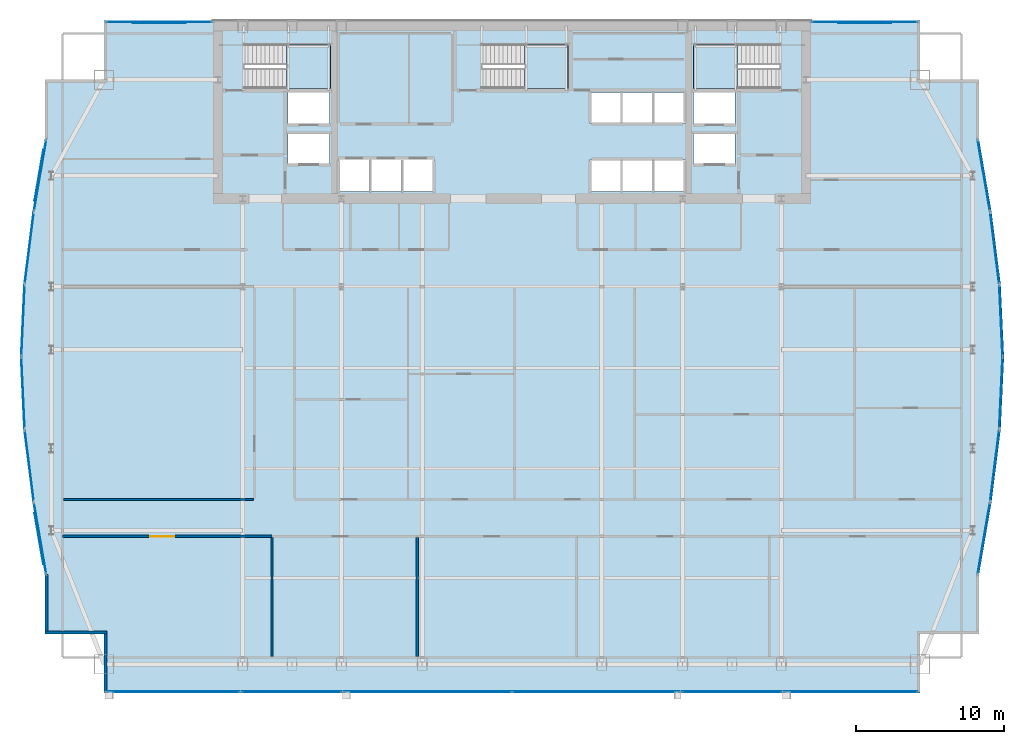
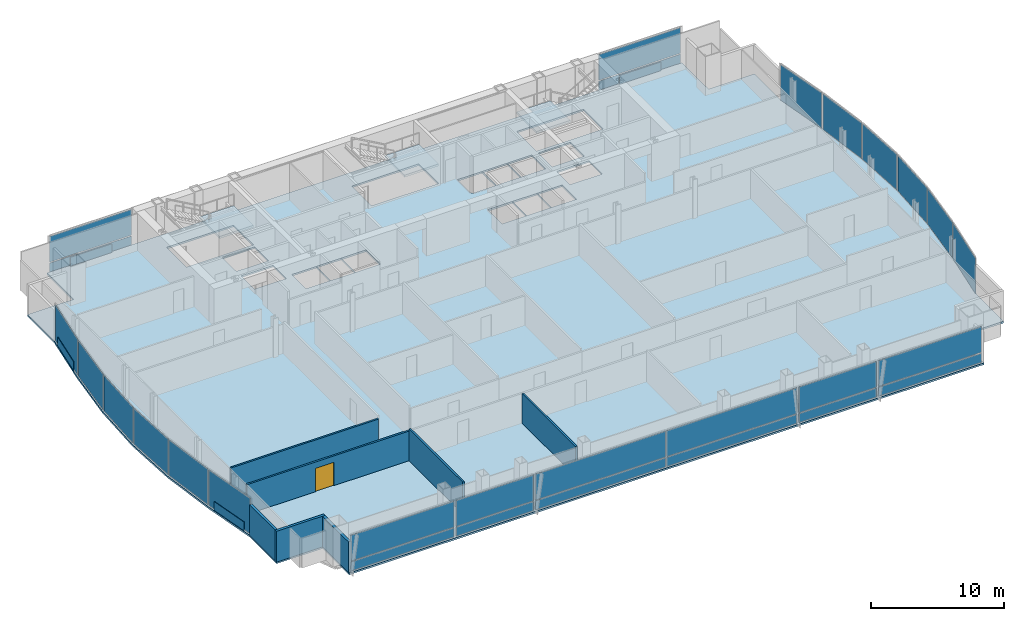
# One storey, part 23 of 29: 32 plates, 7 walls, 4 slabs, 1 door, 1 opening, 22 elements without a shape of their own.
"""IFC4 building model written with IfcOpenShell, lengths in metres."""

from ifc_helpers import new_model, si_unit, direction, frame, frame_2d, origin, origin_2d, place, context, subcontext, project, spatial, polyline, rectangle, outline, extrude, material, layer, layer_set, type_object, element, fill, aggregate, save


model = new_model("IFC4")

# Units and contexts
model_context = context("Model", 3, precision=1e-05, world=origin(), true_north=direction((0.0, 1.0)))
body_context = subcontext(model_context, "Body", "Model", "MODEL_VIEW")
ifc_project = project(units=[si_unit("LENGTHUNIT", "METRE"), si_unit("AREAUNIT", "SQUARE_METRE"), si_unit("VOLUMEUNIT", "CUBIC_METRE"), si_unit("PLANEANGLEUNIT", "RADIAN"), si_unit("MASSUNIT", "GRAM", prefix="KILO")], contexts=[model_context])

# Site, building, storey
site_placement = place(None, origin())
site = spatial("IfcSite", under=ifc_project, at=site_placement, CompositionType="ELEMENT")
building_placement = place(site_placement, origin())
building = spatial("IfcBuilding", under=site, at=building_placement, Name="Khoronbel Lancet Exchange", CompositionType="ELEMENT")
storey_placement = place(building_placement, frame((0.0, 0.0, 150.60009765625)))
storey = spatial("IfcBuildingStorey", under=building, at=storey_placement, Name="L37", CompositionType="ELEMENT", Elevation=150.60009765625)

# Curtain wall, plate
ifc_material_1 = material(Name="Low-E Solar Control Insulating Glass", Category="glass")
curtain_wall_type_1 = type_object("IfcCurtainWallType", Name="CW-4", PredefinedType="NOTDEFINED", material=ifc_material_1)
curtain_wall_1_placement = place(storey_placement, origin())
curtain_wall_1 = element("IfcCurtainWall", 1, at=curtain_wall_1_placement, inside=storey, type_object=curtain_wall_type_1, Name="Unitised curtain wall CW-L37-E04", PredefinedType="NOTDEFINED")
ifc_material_2 = material(Name="Bronze-Anodised Aluminium 6063-T6", Category="aluminium")
ifc_layer_1 = layer(ifc_material_2, 0.050048828125, Name="Bronze-Anodised Aluminium 6063-T6")
ifc_layer_set_1 = layer_set([ifc_layer_1], Name="Bronze-Anodised Aluminium 6063-T6")
plate_type_1 = type_object("IfcPlateType", Name="PLT-CSP1", PredefinedType="SHEET", material=ifc_layer_set_1)
plate_1_placement = place(storey_placement, frame((4.456298828125, 18.65869140625, 0.0498046875), z_axis=(0.0, 0.0, 1.0), x_axis=(-0.170028930194, 0.985439071124, 0.0)))
plate_1 = element("IfcPlate", 2, at=plate_1_placement, type_object=plate_type_1, Name="Insulated bronze spandrel cassette CW-L37-E04", PredefinedType="SHEET", context=body_context, shape_type="SweptSolid", body=[
    extrude(rectangle(XDim=3.49658203125, YDim=0.050048828125, at=origin_2d()), origin(), (0.0, 0.0, 1.0), 0.800048828125),
])

curtain_wall_2_placement = place(storey_placement, origin())
curtain_wall_2 = element("IfcCurtainWall", 3, at=curtain_wall_2_placement, inside=storey, type_object=curtain_wall_type_1, Name="Unitised curtain wall CW-L37-E05", PredefinedType="NOTDEFINED")
plate_2_placement = place(storey_placement, frame((3.780517578125, 23.58544921875, 0.0849609375), z_axis=(0.0, 0.0, 1.0), x_axis=(-0.125312637554, 0.992117302978, 0.0)))
plate_2 = element("IfcPlate", 4, at=plate_2_placement, type_object=plate_type_1, Name="CW4 panel 1.1", PredefinedType="CURTAIN_PANEL", context=body_context, shape_type="SweptSolid", body=[
    extrude(rectangle(XDim=4.800048828125, YDim=0.0380859375, at=origin_2d()), origin(), (0.0, 0.0, 1.0), 3.27001953125),
])
aggregate(curtain_wall_2, [plate_2])

curtain_wall_3_placement = place(storey_placement, origin())
curtain_wall_3 = element("IfcCurtainWall", 5, at=curtain_wall_3_placement, inside=storey, type_object=curtain_wall_type_1, Name="Unitised curtain wall CW-L37-E06", PredefinedType="NOTDEFINED")
plate_3_placement = place(storey_placement, frame((3.35693359375, 28.49560546875, 0.0849609375), z_axis=(0.0, 0.0, 1.0), x_axis=(-0.046171931737, 0.998933507657, 0.0)))
plate_3 = element("IfcPlate", 6, at=plate_3_placement, type_object=plate_type_1, Name="CW4 panel 1.1", PredefinedType="CURTAIN_PANEL", context=body_context, shape_type="SweptSolid", body=[
    extrude(rectangle(XDim=4.76416015625, YDim=0.0380859375, at=origin_2d()), origin(), (0.0, 0.0, 1.0), 3.27001953125),
])
aggregate(curtain_wall_3, [plate_3])

curtain_wall_4_placement = place(storey_placement, origin())
curtain_wall_4 = element("IfcCurtainWall", 7, at=curtain_wall_4_placement, inside=storey, type_object=curtain_wall_type_1, Name="Unitised curtain wall CW-L37-E07", PredefinedType="NOTDEFINED")
plate_4_placement = place(storey_placement, frame((3.35693359375, 33.404541015625, 0.0849609375), z_axis=(0.0, 0.0, 1.0), x_axis=(0.046171931737, 0.998933507657, 0.0)))
plate_4 = element("IfcPlate", 8, at=plate_4_placement, type_object=plate_type_1, Name="CW4 panel 1.1", PredefinedType="CURTAIN_PANEL", context=body_context, shape_type="SweptSolid", body=[
    extrude(rectangle(XDim=4.76416015625, YDim=0.0380859375, at=origin_2d()), origin(), (0.0, 0.0, 1.0), 3.27001953125),
])
aggregate(curtain_wall_4, [plate_4])

curtain_wall_5_placement = place(storey_placement, origin())
curtain_wall_5 = element("IfcCurtainWall", 9, at=curtain_wall_5_placement, inside=storey, type_object=curtain_wall_type_1, Name="Unitised curtain wall CW-L37-E08", PredefinedType="NOTDEFINED")
plate_5_placement = place(storey_placement, frame((3.780517578125, 38.314453125, 0.0849609375), z_axis=(0.0, 0.0, 1.0), x_axis=(0.125312637554, 0.992117302978, 0.0)))
plate_5 = element("IfcPlate", 10, at=plate_5_placement, type_object=plate_type_1, Name="CW4 panel 1.1", PredefinedType="CURTAIN_PANEL", context=body_context, shape_type="SweptSolid", body=[
    extrude(rectangle(XDim=4.800048828125, YDim=0.0380859375, at=origin_2d()), origin(), (0.0, 0.0, 1.0), 3.27001953125),
])
aggregate(curtain_wall_5, [plate_5])

curtain_wall_6_placement = place(storey_placement, origin())
curtain_wall_6 = element("IfcCurtainWall", 11, at=curtain_wall_6_placement, inside=storey, type_object=curtain_wall_type_1, Name="Unitised curtain wall CW-L37-E09", PredefinedType="NOTDEFINED")
plate_6_placement = place(storey_placement, frame((4.456298828125, 43.2412109375, 0.0498046875), z_axis=(0.0, 0.0, 1.0), x_axis=(0.170028930194, 0.985439071124, 0.0)))
plate_6 = element("IfcPlate", 12, at=plate_6_placement, type_object=plate_type_1, Name="Insulated bronze spandrel cassette CW-L37-E09", PredefinedType="SHEET", context=body_context, shape_type="SweptSolid", body=[
    extrude(rectangle(XDim=3.49658203125, YDim=0.050048828125, at=origin_2d()), origin(), (0.0, 0.0, 1.0), 0.800048828125),
])

curtain_wall_type_2 = type_object("IfcCurtainWallType", Name="CW-3", PredefinedType="NOTDEFINED", material=ifc_material_1)
curtain_wall_7_placement = place(storey_placement, origin())
curtain_wall_7 = element("IfcCurtainWall", 13, at=curtain_wall_7_placement, inside=storey, type_object=curtain_wall_type_2, Name="Unitised curtain wall CW-L37-NWFLK", PredefinedType="NOTDEFINED")
plate_7_placement = place(storey_placement, frame((12.580078125, 53.550048828125, 0.0498046875), z_axis=(0.0, 0.0, 1.0), x_axis=(-1.0, 0.0, 0.0)))
plate_7 = element("IfcPlate", 14, at=plate_7_placement, type_object=plate_type_1, Name="Insulated bronze spandrel cassette CW-L37-NWFLK", PredefinedType="SHEET", context=body_context, shape_type="SweptSolid", body=[
    extrude(rectangle(XDim=3.60009765625, YDim=0.050048828125, at=origin_2d()), origin(), (0.0, 0.0, 1.0), 0.800048828125),
])

curtain_wall_8_placement = place(storey_placement, origin())
curtain_wall_8 = element("IfcCurtainWall", 15, at=curtain_wall_8_placement, inside=storey, type_object=curtain_wall_type_2, Name="Unitised curtain wall CW-L37-NEFLK", PredefinedType="NOTDEFINED")
plate_8_placement = place(storey_placement, frame((60.320068359375, 53.550048828125, 0.0498046875), z_axis=(0.0, 0.0, 1.0), x_axis=(-1.0, 0.0, 0.0)))
plate_8 = element("IfcPlate", 16, at=plate_8_placement, type_object=plate_type_1, Name="Insulated bronze spandrel cassette CW-L37-NEFLK", PredefinedType="SHEET", context=body_context, shape_type="SweptSolid", body=[
    extrude(rectangle(XDim=3.60009765625, YDim=0.050048828125, at=origin_2d()), origin(), (0.0, 0.0, 1.0), 0.800048828125),
])

curtain_wall_9_placement = place(storey_placement, origin())
curtain_wall_9 = element("IfcCurtainWall", 17, at=curtain_wall_9_placement, inside=storey, type_object=curtain_wall_type_1, Name="Unitised curtain wall CW-L37-E18", PredefinedType="NOTDEFINED")
plate_9_placement = place(storey_placement, frame((69.119384765625, 38.314453125, 0.0849609375), z_axis=(0.0, 0.0, 1.0), x_axis=(0.125312637554, -0.992117302978, 0.0)))
plate_9 = element("IfcPlate", 18, at=plate_9_placement, type_object=plate_type_1, Name="CW4 panel 1.1", PredefinedType="CURTAIN_PANEL", context=body_context, shape_type="SweptSolid", body=[
    extrude(rectangle(XDim=4.800048828125, YDim=0.0380859375, at=origin_2d()), origin(), (0.0, 0.0, 1.0), 3.27001953125),
])
aggregate(curtain_wall_9, [plate_9])

curtain_wall_10_placement = place(storey_placement, origin())
curtain_wall_10 = element("IfcCurtainWall", 19, at=curtain_wall_10_placement, inside=storey, type_object=curtain_wall_type_1, Name="Unitised curtain wall CW-L37-E19", PredefinedType="NOTDEFINED")
plate_10_placement = place(storey_placement, frame((69.54296875, 33.404541015625, 0.0849609375), z_axis=(0.0, 0.0, 1.0), x_axis=(0.046171931737, -0.998933507657, 0.0)))
plate_10 = element("IfcPlate", 20, at=plate_10_placement, type_object=plate_type_1, Name="CW4 panel 1.1", PredefinedType="CURTAIN_PANEL", context=body_context, shape_type="SweptSolid", body=[
    extrude(rectangle(XDim=4.76416015625, YDim=0.0380859375, at=origin_2d()), origin(), (0.0, 0.0, 1.0), 3.27001953125),
])
aggregate(curtain_wall_10, [plate_10])

curtain_wall_11_placement = place(storey_placement, origin())
curtain_wall_11 = element("IfcCurtainWall", 21, at=curtain_wall_11_placement, inside=storey, type_object=curtain_wall_type_1, Name="Unitised curtain wall CW-L37-E20", PredefinedType="NOTDEFINED")
plate_11_placement = place(storey_placement, frame((69.54296875, 28.49560546875, 0.0849609375), z_axis=(0.0, 0.0, 1.0), x_axis=(-0.046171931737, -0.998933507657, 0.0)))
plate_11 = element("IfcPlate", 22, at=plate_11_placement, type_object=plate_type_1, Name="CW4 panel 1.1", PredefinedType="CURTAIN_PANEL", context=body_context, shape_type="SweptSolid", body=[
    extrude(rectangle(XDim=4.76416015625, YDim=0.0380859375, at=origin_2d()), origin(), (0.0, 0.0, 1.0), 3.27001953125),
])
aggregate(curtain_wall_11, [plate_11])

curtain_wall_12_placement = place(storey_placement, origin())
curtain_wall_12 = element("IfcCurtainWall", 23, at=curtain_wall_12_placement, inside=storey, type_object=curtain_wall_type_1, Name="Unitised curtain wall CW-L37-E21", PredefinedType="NOTDEFINED")
plate_12_placement = place(storey_placement, frame((69.119384765625, 23.58544921875, 0.0849609375), z_axis=(0.0, 0.0, 1.0), x_axis=(-0.125312637554, -0.992117302978, 0.0)))
plate_12 = element("IfcPlate", 24, at=plate_12_placement, type_object=plate_type_1, Name="CW4 panel 1.1", PredefinedType="CURTAIN_PANEL", context=body_context, shape_type="SweptSolid", body=[
    extrude(rectangle(XDim=4.800048828125, YDim=0.0380859375, at=origin_2d()), origin(), (0.0, 0.0, 1.0), 3.27001953125),
])
aggregate(curtain_wall_12, [plate_12])

# Curtain wall, plates
curtain_wall_13_placement = place(storey_placement, origin())
curtain_wall_13 = element("IfcCurtainWall", 25, at=curtain_wall_13_placement, inside=storey, type_object=curtain_wall_type_2, Name="Unitised curtain wall CW-L37-SWB", PredefinedType="NOTDEFINED")
plate_13_placement = place(storey_placement, frame((21.550048828125, 8.2900390625, 0.0849609375), z_axis=(0.0, 0.0, 1.0), x_axis=(1.0, 0.0, 0.0)))
plate_13 = element("IfcPlate", 26, at=plate_13_placement, type_object=plate_type_1, Name="CW3 panel 1.1", PredefinedType="CURTAIN_PANEL", context=body_context, shape_type="SweptSolid", body=[
    extrude(rectangle(XDim=6.72998046875, YDim=0.0380859375, at=origin_2d()), origin(), (0.0, 0.0, 1.0), 0.822509765625),
])
plate_14_placement = place(storey_placement, frame((21.550048828125, 8.2900390625, 0.9921875), z_axis=(0.0, 0.0, 1.0), x_axis=(1.0, 0.0, 0.0)))
plate_14 = element("IfcPlate", 27, at=plate_14_placement, type_object=plate_type_1, Name="CW3 panel 1.2", PredefinedType="CURTAIN_PANEL", context=body_context, shape_type="SweptSolid", body=[
    extrude(rectangle(XDim=6.72998046875, YDim=0.0380859375, at=origin_2d()), origin(), (0.0, 0.0, 1.0), 2.362548828125),
])
aggregate(curtain_wall_13, [plate_13, plate_14])

curtain_wall_14_placement = place(storey_placement, origin())
curtain_wall_14 = element("IfcCurtainWall", 28, at=curtain_wall_14_placement, inside=storey, type_object=curtain_wall_type_2, Name="Unitised curtain wall CW-L37-SEB", PredefinedType="NOTDEFINED")
plate_15_placement = place(storey_placement, frame((51.35009765625, 8.2900390625, 0.0849609375), z_axis=(0.0, 0.0, 1.0), x_axis=(1.0, 0.0, 0.0)))
plate_15 = element("IfcPlate", 29, at=plate_15_placement, type_object=plate_type_1, Name="CW3 panel 1.1", PredefinedType="CURTAIN_PANEL", context=body_context, shape_type="SweptSolid", body=[
    extrude(rectangle(XDim=6.72998046875, YDim=0.0380859375, at=origin_2d()), origin(), (0.0, 0.0, 1.0), 0.822509765625),
])
plate_16_placement = place(storey_placement, frame((51.35009765625, 8.2900390625, 0.9921875), z_axis=(0.0, 0.0, 1.0), x_axis=(1.0, 0.0, 0.0)))
plate_16 = element("IfcPlate", 30, at=plate_16_placement, type_object=plate_type_1, Name="CW3 panel 1.2", PredefinedType="CURTAIN_PANEL", context=body_context, shape_type="SweptSolid", body=[
    extrude(rectangle(XDim=6.72998046875, YDim=0.0380859375, at=origin_2d()), origin(), (0.0, 0.0, 1.0), 2.362548828125),
])
aggregate(curtain_wall_14, [plate_15, plate_16])

# Plate
ifc_layer_2 = layer(ifc_material_1, 0.035888671875, Name="Low-E Solar Control Insulating Glass")
ifc_layer_set_2 = layer_set([ifc_layer_2], Name="Low-E Solar Control Insulating Glass")
plate_type_2 = type_object("IfcPlateType", Name="PLT-CWP1", PredefinedType="CURTAIN_PANEL", material=ifc_layer_set_2)
plate_17_placement = place(storey_placement, frame((12.580078125, 53.610107421875, 0.0849609375), z_axis=(0.0, 0.0, 1.0), x_axis=(-1.0, 0.0, 0.0)))
plate_17 = element("IfcPlate", 31, at=plate_17_placement, type_object=plate_type_2, Name="CW3 panel 1.1", PredefinedType="CURTAIN_PANEL", context=body_context, shape_type="SweptSolid", body=[
    extrude(rectangle(XDim=7.110107421875, YDim=0.0380859375, at=origin_2d()), origin(), (0.0, 0.0, 1.0), 0.822509765625),
])

plate_18_placement = place(storey_placement, frame((12.580078125, 53.610107421875, 0.9921875), z_axis=(0.0, 0.0, 1.0), x_axis=(-1.0, 0.0, 0.0)))
plate_18 = element("IfcPlate", 32, at=plate_18_placement, type_object=plate_type_2, Name="CW3 panel 1.2", PredefinedType="CURTAIN_PANEL", context=body_context, shape_type="SweptSolid", body=[
    extrude(rectangle(XDim=7.110107421875, YDim=0.0380859375, at=origin_2d()), origin(), (0.0, 0.0, 1.0), 2.362548828125),
])

aggregate(curtain_wall_7, [plate_17, plate_18, plate_7])

plate_19_placement = place(storey_placement, frame((60.320068359375, 53.610107421875, 0.0849609375), z_axis=(0.0, 0.0, 1.0), x_axis=(-1.0, 0.0, 0.0)))
plate_19 = element("IfcPlate", 33, at=plate_19_placement, type_object=plate_type_2, Name="CW3 panel 1.1", PredefinedType="CURTAIN_PANEL", context=body_context, shape_type="SweptSolid", body=[
    extrude(rectangle(XDim=7.110107421875, YDim=0.0380859375, at=origin_2d()), origin(), (0.0, 0.0, 1.0), 0.822509765625),
])

plate_20_placement = place(storey_placement, frame((60.320068359375, 53.610107421875, 0.9921875), z_axis=(0.0, 0.0, 1.0), x_axis=(-1.0, 0.0, 0.0)))
plate_20 = element("IfcPlate", 34, at=plate_20_placement, type_object=plate_type_2, Name="CW3 panel 1.2", PredefinedType="CURTAIN_PANEL", context=body_context, shape_type="SweptSolid", body=[
    extrude(rectangle(XDim=7.110107421875, YDim=0.0380859375, at=origin_2d()), origin(), (0.0, 0.0, 1.0), 2.362548828125),
])

aggregate(curtain_wall_8, [plate_19, plate_20, plate_8])

# Curtain wall, plates
curtain_wall_15_placement = place(storey_placement, origin())
curtain_wall_15 = element("IfcCurtainWall", 35, at=curtain_wall_15_placement, inside=storey, type_object=curtain_wall_type_2, Name="Unitised curtain wall CW-L37-SWV", PredefinedType="NOTDEFINED")
plate_21_placement = place(storey_placement, frame((13.52001953125, 8.2900390625, 0.0849609375), z_axis=(0.0, 0.0, 1.0), x_axis=(1.0, 0.0, 0.0)))
plate_21 = element("IfcPlate", 36, at=plate_21_placement, type_object=plate_type_2, Name="CW3 panel 1.1", PredefinedType="CURTAIN_PANEL", context=body_context, shape_type="SweptSolid", body=[
    extrude(rectangle(XDim=8.989990234375, YDim=0.0380859375, at=origin_2d()), origin(), (0.0, 0.0, 1.0), 0.822509765625),
])
plate_22_placement = place(storey_placement, frame((13.52001953125, 8.2900390625, 0.9921875), z_axis=(0.0, 0.0, 1.0), x_axis=(1.0, 0.0, 0.0)))
plate_22 = element("IfcPlate", 37, at=plate_22_placement, type_object=plate_type_2, Name="CW3 panel 1.2", PredefinedType="CURTAIN_PANEL", context=body_context, shape_type="SweptSolid", body=[
    extrude(rectangle(XDim=8.989990234375, YDim=0.0380859375, at=origin_2d()), origin(), (0.0, 0.0, 1.0), 2.362548828125),
])
aggregate(curtain_wall_15, [plate_21, plate_22])

curtain_wall_16_placement = place(storey_placement, origin())
curtain_wall_16 = element("IfcCurtainWall", 38, at=curtain_wall_16_placement, inside=storey, type_object=curtain_wall_type_2, Name="Unitised curtain wall CW-L37-SCV", PredefinedType="NOTDEFINED")
plate_23_placement = place(storey_placement, frame((30.746337890625, 8.2900390625, 0.0849609375), z_axis=(0.0, 0.0, 1.0), x_axis=(1.0, 0.0, 0.0)))
plate_23 = element("IfcPlate", 39, at=plate_23_placement, type_object=plate_type_2, Name="CW3 panel 1.1", PredefinedType="CURTAIN_PANEL", context=body_context, shape_type="SweptSolid", body=[
    extrude(rectangle(XDim=11.322509765625, YDim=0.0380859375, at=origin_2d()), origin(), (0.0, 0.0, 1.0), 0.822509765625),
])
plate_24_placement = place(storey_placement, frame((30.746337890625, 8.2900390625, 0.9921875), z_axis=(0.0, 0.0, 1.0), x_axis=(1.0, 0.0, 0.0)))
plate_24 = element("IfcPlate", 40, at=plate_24_placement, type_object=plate_type_2, Name="CW3 panel 1.2", PredefinedType="CURTAIN_PANEL", context=body_context, shape_type="SweptSolid", body=[
    extrude(rectangle(XDim=11.322509765625, YDim=0.0380859375, at=origin_2d()), origin(), (0.0, 0.0, 1.0), 2.362548828125),
])
plate_25_placement = place(storey_placement, frame((42.15380859375, 8.2900390625, 0.0849609375), z_axis=(0.0, 0.0, 1.0), x_axis=(1.0, 0.0, 0.0)))
plate_25 = element("IfcPlate", 41, at=plate_25_placement, type_object=plate_type_2, Name="CW3 panel 2.1", PredefinedType="CURTAIN_PANEL", context=body_context, shape_type="SweptSolid", body=[
    extrude(rectangle(XDim=11.322509765625, YDim=0.0380859375, at=origin_2d()), origin(), (0.0, 0.0, 1.0), 0.822509765625),
])
plate_26_placement = place(storey_placement, frame((42.15380859375, 8.2900390625, 0.9921875), z_axis=(0.0, 0.0, 1.0), x_axis=(1.0, 0.0, 0.0)))
plate_26 = element("IfcPlate", 42, at=plate_26_placement, type_object=plate_type_2, Name="CW3 panel 2.2", PredefinedType="CURTAIN_PANEL", context=body_context, shape_type="SweptSolid", body=[
    extrude(rectangle(XDim=11.322509765625, YDim=0.0380859375, at=origin_2d()), origin(), (0.0, 0.0, 1.0), 2.362548828125),
])
aggregate(curtain_wall_16, [plate_23, plate_24, plate_25, plate_26])

curtain_wall_17_placement = place(storey_placement, origin())
curtain_wall_17 = element("IfcCurtainWall", 43, at=curtain_wall_17_placement, inside=storey, type_object=curtain_wall_type_2, Name="Unitised curtain wall CW-L37-SEV", PredefinedType="NOTDEFINED")
plate_27_placement = place(storey_placement, frame((59.3798828125, 8.2900390625, 0.0849609375), z_axis=(0.0, 0.0, 1.0), x_axis=(1.0, 0.0, 0.0)))
plate_27 = element("IfcPlate", 44, at=plate_27_placement, type_object=plate_type_2, Name="CW3 panel 1.1", PredefinedType="CURTAIN_PANEL", context=body_context, shape_type="SweptSolid", body=[
    extrude(rectangle(XDim=8.989990234375, YDim=0.0380859375, at=origin_2d()), origin(), (0.0, 0.0, 1.0), 0.822509765625),
])
plate_28_placement = place(storey_placement, frame((59.3798828125, 8.2900390625, 0.9921875), z_axis=(0.0, 0.0, 1.0), x_axis=(1.0, 0.0, 0.0)))
plate_28 = element("IfcPlate", 45, at=plate_28_placement, type_object=plate_type_2, Name="CW3 panel 1.2", PredefinedType="CURTAIN_PANEL", context=body_context, shape_type="SweptSolid", body=[
    extrude(rectangle(XDim=8.989990234375, YDim=0.0380859375, at=origin_2d()), origin(), (0.0, 0.0, 1.0), 2.362548828125),
])
aggregate(curtain_wall_17, [plate_27, plate_28])

# Plate
ifc_material_3 = material(Name="Ceramic-Fritted Laminated Insulating Glass", Category="glass")
ifc_layer_3 = layer(ifc_material_3, 0.0419921875, Name="Ceramic-Fritted Laminated Insulating Glass")
ifc_layer_set_3 = layer_set([ifc_layer_3], Name="Ceramic-Fritted Laminated Insulating Glass")
plate_type_3 = type_object("IfcPlateType", Name="PLT-CWP2", PredefinedType="CURTAIN_PANEL", material=ifc_layer_set_3)
plate_29_placement = place(storey_placement, frame((4.515380859375, 18.6689453125, 0.0849609375), z_axis=(0.0, 0.0, 1.0), x_axis=(-0.170028930194, 0.985439071124, 0.0)))
plate_29 = element("IfcPlate", 46, at=plate_29_placement, type_object=plate_type_3, Name="CW4 panel 1.1", PredefinedType="CURTAIN_PANEL", context=body_context, shape_type="SweptSolid", body=[
    extrude(rectangle(XDim=4.844970703125, YDim=0.0380859375, at=origin_2d()), origin(), (0.0, 0.0, 1.0), 3.27001953125),
])

aggregate(curtain_wall_1, [plate_29, plate_1])

plate_30_placement = place(storey_placement, frame((4.515380859375, 43.231201171875, 0.0849609375), z_axis=(0.0, 0.0, 1.0), x_axis=(0.170028930194, 0.985439071124, 0.0)))
plate_30 = element("IfcPlate", 47, at=plate_30_placement, type_object=plate_type_3, Name="CW4 panel 1.1", PredefinedType="CURTAIN_PANEL", context=body_context, shape_type="SweptSolid", body=[
    extrude(rectangle(XDim=4.844970703125, YDim=0.0380859375, at=origin_2d()), origin(), (0.0, 0.0, 1.0), 3.27001953125),
])

aggregate(curtain_wall_6, [plate_30, plate_6])

# Curtain wall, plate
curtain_wall_18_placement = place(storey_placement, origin())
curtain_wall_18 = element("IfcCurtainWall", 48, at=curtain_wall_18_placement, inside=storey, type_object=curtain_wall_type_1, Name="Unitised curtain wall CW-L37-E17", PredefinedType="NOTDEFINED")
plate_31_placement = place(storey_placement, frame((68.384765625, 43.231201171875, 0.0849609375), z_axis=(0.0, 0.0, 1.0), x_axis=(0.170028930194, -0.985439071124, 0.0)))
plate_31 = element("IfcPlate", 49, at=plate_31_placement, type_object=plate_type_3, Name="CW4 panel 1.1", PredefinedType="CURTAIN_PANEL", context=body_context, shape_type="SweptSolid", body=[
    extrude(rectangle(XDim=4.844970703125, YDim=0.0380859375, at=origin_2d()), origin(), (0.0, 0.0, 1.0), 3.27001953125),
])
aggregate(curtain_wall_18, [plate_31])

curtain_wall_19_placement = place(storey_placement, origin())
curtain_wall_19 = element("IfcCurtainWall", 50, at=curtain_wall_19_placement, inside=storey, type_object=curtain_wall_type_1, Name="Unitised curtain wall CW-L37-E22", PredefinedType="NOTDEFINED")
plate_32_placement = place(storey_placement, frame((68.384765625, 18.6689453125, 0.0849609375), z_axis=(0.0, 0.0, 1.0), x_axis=(-0.170028930194, -0.985439071124, 0.0)))
plate_32 = element("IfcPlate", 51, at=plate_32_placement, type_object=plate_type_3, Name="CW4 panel 1.1", PredefinedType="CURTAIN_PANEL", context=body_context, shape_type="SweptSolid", body=[
    extrude(rectangle(XDim=4.844970703125, YDim=0.0380859375, at=origin_2d()), origin(), (0.0, 0.0, 1.0), 3.27001953125),
])
aggregate(curtain_wall_19, [plate_32])

# Slab
ifc_material_4 = material(Name="Concrete C40/50", Category="concrete")
ifc_layer_4 = layer(ifc_material_4, 0.159912109375, Name="Concrete C40/50")
ifc_layer_set_4 = layer_set([ifc_layer_4], Name="Concrete C40/50")
slab_type_1 = type_object("IfcSlabType", Name="SL-FL160", PredefinedType="FLOOR", material=ifc_layer_set_4)
slab_1_placement = place(storey_placement, frame((0.0, 0.0, -0.16015625)))
element("IfcSlab", 52, at=slab_1_placement, inside=storey, type_object=slab_type_1, Name="Level L37 composite structural floor slab", PredefinedType="FLOOR", context=body_context, shape_type="SweptSolid", body=[
    extrude(outline(polyline([(8.85009765625, 8.199951171875), (64.050048828125, 8.199951171875), (64.050048828125, 12.199951171875), (68.050048828125, 12.199951171875), (68.050048828125, 16.199951171875), (68.898193359375, 21.11669921875), (69.519287109375, 26.033203125), (69.74658203125, 30.949951171875), (69.519287109375, 35.86669921875), (68.898193359375, 40.783203125), (68.050048828125, 45.699951171875), (68.050048828125, 49.699951171875), (64.050048828125, 49.699951171875), (64.050048828125, 53.699951171875), (8.85009765625, 53.699951171875), (8.85009765625, 49.699951171875), (4.85009765625, 49.699951171875), (4.85009765625, 45.699951171875), (4.001708984375, 40.783203125), (3.380615234375, 35.86669921875), (3.1533203125, 30.949951171875), (3.380615234375, 26.033203125), (4.001708984375, 21.11669921875), (4.85009765625, 16.199951171875), (4.85009765625, 12.199951171875), (8.85009765625, 12.199951171875), (8.85009765625, 8.199951171875)]), holes=[polyline([(18.324951171875, 49.1201171875), (24.14990234375, 49.1201171875), (24.14990234375, 52.10009765625), (18.324951171875, 52.10009765625), (18.324951171875, 49.1201171875)]), polyline([(48.75, 49.1201171875), (54.574951171875, 49.1201171875), (54.574951171875, 52.10009765625), (48.75, 52.10009765625), (48.75, 49.1201171875)]), polyline([(34.425048828125, 49.1201171875), (40.25, 49.1201171875), (40.25, 52.10009765625), (34.425048828125, 52.10009765625), (34.425048828125, 49.1201171875)]), polyline([(24.699951171875, 42.14990234375), (26.840087890625, 42.14990234375), (26.840087890625, 44.300048828125), (24.699951171875, 44.300048828125), (24.699951171875, 42.14990234375)]), polyline([(26.860107421875, 42.14990234375), (29.0, 42.14990234375), (29.0, 44.300048828125), (26.860107421875, 44.300048828125), (26.860107421875, 42.14990234375)]), polyline([(29.02001953125, 42.14990234375), (31.159912109375, 42.14990234375), (31.159912109375, 44.300048828125), (29.02001953125, 44.300048828125), (29.02001953125, 42.14990234375)]), polyline([(41.739990234375, 46.75), (43.8798828125, 46.75), (43.8798828125, 48.85009765625), (41.739990234375, 48.85009765625), (41.739990234375, 46.75)]), polyline([(43.89990234375, 46.75), (46.0400390625, 46.75), (46.0400390625, 48.85009765625), (43.89990234375, 48.85009765625), (43.89990234375, 46.75)]), polyline([(46.06005859375, 46.75), (48.199951171875, 46.75), (48.199951171875, 48.85009765625), (46.06005859375, 48.85009765625), (46.06005859375, 46.75)]), polyline([(41.739990234375, 42.14990234375), (43.8798828125, 42.14990234375), (43.8798828125, 44.300048828125), (41.739990234375, 44.300048828125), (41.739990234375, 42.14990234375)]), polyline([(43.89990234375, 42.14990234375), (46.0400390625, 42.14990234375), (46.0400390625, 44.300048828125), (43.89990234375, 44.300048828125), (43.89990234375, 42.14990234375)]), polyline([(46.06005859375, 42.14990234375), (48.199951171875, 42.14990234375), (48.199951171875, 44.300048828125), (46.06005859375, 44.300048828125), (46.06005859375, 42.14990234375)]), polyline([(21.300048828125, 46.75), (24.10009765625, 46.75), (24.10009765625, 48.85009765625), (21.300048828125, 48.85009765625), (21.300048828125, 46.75)]), polyline([(48.75, 46.75), (51.550048828125, 46.75), (51.550048828125, 48.85009765625), (48.75, 48.85009765625), (48.75, 46.75)]), polyline([(21.300048828125, 44.050048828125), (24.10009765625, 44.050048828125), (24.10009765625, 46.050048828125), (21.300048828125, 46.050048828125), (21.300048828125, 44.050048828125)]), polyline([(48.75, 44.050048828125), (51.550048828125, 44.050048828125), (51.550048828125, 46.050048828125), (48.75, 46.050048828125), (48.75, 44.050048828125)])]), origin(), (0.0, 0.0, 1.0), 0.16015625),
])

# Stair, slab
stair_type = type_object("IfcStairType", Name="STR-CORE150", PredefinedType="HALF_TURN_STAIR", material=ifc_material_4)
stair_1_placement = place(storey_placement, origin())
stair_1 = element("IfcStair", 53, at=stair_1_placement, inside=storey, type_object=stair_type, Name="L37 Protected Exit Stair ST1", PredefinedType="HALF_TURN_STAIR")
ifc_layer_5 = layer(ifc_material_4, 0.199951171875, Name="Concrete C40/50")
ifc_layer_set_5 = layer_set([ifc_layer_5], Name="Concrete C40/50")
slab_type_2 = type_object("IfcSlabType", Name="SL-LND180", PredefinedType="LANDING", material=ifc_layer_set_5)
slab_2_placement = place(storey_placement, frame((0.0, 0.0, 1.599853515625)))
slab_2 = element("IfcSlab", 54, at=slab_2_placement, type_object=slab_type_2, Name="ST1 landing 1", PredefinedType="LANDING", context=body_context, shape_type="SweptSolid", body=[
    extrude(outline(polyline([(21.199951171875, 49.1201171875), (24.14990234375, 49.1201171875), (24.14990234375, 52.10009765625), (21.199951171875, 52.10009765625), (21.199951171875, 49.1201171875)])), origin(), (0.0, 0.0, 1.0), 0.199951171875),
])
aggregate(stair_1, [slab_2])

stair_2_placement = place(storey_placement, origin())
stair_2 = element("IfcStair", 55, at=stair_2_placement, inside=storey, type_object=stair_type, Name="L37 Protected Exit Stair ST2", PredefinedType="HALF_TURN_STAIR")
slab_3_placement = place(storey_placement, frame((0.0, 0.0, 1.599853515625)))
slab_3 = element("IfcSlab", 56, at=slab_3_placement, type_object=slab_type_2, Name="ST2 landing 1", PredefinedType="LANDING", context=body_context, shape_type="SweptSolid", body=[
    extrude(outline(polyline([(51.699951171875, 52.10009765625), (48.75, 52.10009765625), (48.75, 49.1201171875), (51.699951171875, 49.1201171875), (51.699951171875, 52.10009765625)])), origin(), (0.0, 0.0, 1.0), 0.199951171875),
])
aggregate(stair_2, [slab_3])

stair_3_placement = place(storey_placement, origin())
stair_3 = element("IfcStair", 57, at=stair_3_placement, inside=storey, type_object=stair_type, Name="L37 Protected Exit Stair ST3", PredefinedType="HALF_TURN_STAIR")
slab_4_placement = place(storey_placement, frame((0.0, 0.0, 1.599853515625)))
slab_4 = element("IfcSlab", 58, at=slab_4_placement, type_object=slab_type_2, Name="ST3 landing 1", PredefinedType="LANDING", context=body_context, shape_type="SweptSolid", body=[
    extrude(outline(polyline([(37.300048828125, 49.1201171875), (40.25, 49.1201171875), (40.25, 52.10009765625), (37.300048828125, 52.10009765625), (37.300048828125, 49.1201171875)])), origin(), (0.0, 0.0, 1.0), 0.199951171875),
])
aggregate(stair_3, [slab_4])

# Walls
ifc_material_5 = material(Name="Precast concrete C40/50", Category="concrete")
ifc_layer_6 = layer(ifc_material_5, 0.25, Name="Precast concrete C40/50")
ifc_layer_set_6 = layer_set([ifc_layer_6], Name="Precast concrete C40/50")
wall_type_1 = type_object("IfcWallType", Name="WL-EXT250", PredefinedType="SOLIDWALL", material=ifc_layer_set_6)
wall_1_placement = place(storey_placement, frame((8.93994140625, 8.27001953125, 0.0), z_axis=(0.0, 0.0, 1.0), x_axis=(0.0, 1.0, 0.0)))
element("IfcWall", 59, at=wall_1_placement, inside=storey, type_object=wall_type_1, Name="Level L37 notched-corner limestone pier 01", PredefinedType="SOLIDWALL", context=body_context, shape_type="SweptSolid", body=[
    extrude(rectangle(XDim=3.909912109375, YDim=0.219970703125, at=frame_2d((1.955078125, 0.0))), origin(), (0.0, 0.0, 1.0), 2.829833984375),
])
wall_2_placement = place(storey_placement, frame((9.050048828125, 12.2900390625, 0.0), z_axis=(0.0, 0.0, 1.0), x_axis=(-1.0, 0.0, 0.0)))
element("IfcWall", 60, at=wall_2_placement, inside=storey, type_object=wall_type_1, Name="Level L37 notched-corner limestone pier 02", PredefinedType="SOLIDWALL", context=body_context, shape_type="SweptSolid", body=[
    extrude(rectangle(XDim=4.219970703125, YDim=0.219970703125, at=frame_2d((2.10986328125, 0.0))), origin(), (0.0, 0.0, 1.0), 2.829833984375),
])
wall_3_placement = place(storey_placement, frame((4.93994140625, 12.39990234375, 0.0), z_axis=(0.0, 0.0, 1.0), x_axis=(0.0, 1.0, 0.0)))
element("IfcWall", 61, at=wall_3_placement, inside=storey, type_object=wall_type_1, Name="Level L37 notched-corner limestone pier 03", PredefinedType="SOLIDWALL", context=body_context, shape_type="SweptSolid", body=[
    extrude(rectangle(XDim=3.827880859375, YDim=0.219970703125, at=frame_2d((1.9140625, 0.0))), origin(), (0.0, 0.0, 1.0), 2.829833984375),
])
ifc_material_6 = material(Name="Fire-Rated Twin-Stud Acoustic Gypsum Partition 150 mm", Category="gypsum")
ifc_layer_7 = layer(ifc_material_6, 0.14990234375, Name="Fire-Rated Twin-Stud Acoustic Gypsum Partition 150 mm")
ifc_layer_set_7 = layer_set([ifc_layer_7], Name="Fire-Rated Twin-Stud Acoustic Gypsum Partition 150 mm")
wall_type_2 = type_object("IfcWallType", Name="WL-PRT150C", PredefinedType="PARTITIONING", material=ifc_layer_set_7)
wall_4_placement = place(storey_placement, frame((20.204833984375, 10.6650390625, 0.0), z_axis=(0.0, 0.0, 1.0), x_axis=(0.0, 1.0, 0.0)))
element("IfcWall", 62, at=wall_4_placement, inside=storey, type_object=wall_type_2, Name="Level L37 interior partition PW-Z2S-V1", PredefinedType="PARTITIONING", context=body_context, shape_type="SweptSolid", body=[
    extrude(rectangle(XDim=8.050048828125, YDim=0.14990234375, at=frame_2d((4.02490234375, 0.0))), origin(), (0.0, 0.0, 1.0), 2.929931640625),
])
wall_5_placement = place(storey_placement, frame((30.035888671875, 10.6650390625, 0.0), z_axis=(0.0, 0.0, 1.0), x_axis=(0.0, 1.0, 0.0)))
element("IfcWall", 63, at=wall_5_placement, inside=storey, type_object=wall_type_2, Name="Level L37 interior partition PW-Z2S-V2", PredefinedType="PARTITIONING", context=body_context, shape_type="SweptSolid", body=[
    extrude(rectangle(XDim=8.050048828125, YDim=0.14990234375, at=frame_2d((4.02490234375, 0.0))), origin(), (0.0, 0.0, 1.0), 2.72998046875),
])
wall_6_placement = place(storey_placement, frame((6.094970703125, 21.300048828125, 0.0), z_axis=(0.0, 0.0, 1.0), x_axis=(1.0, 0.0, 0.0)))
element("IfcWall", 64, at=wall_6_placement, inside=storey, type_object=wall_type_2, Name="Level L37 interior partition PW-Z2-WS", PredefinedType="PARTITIONING", context=body_context, shape_type="SweptSolid", body=[
    extrude(rectangle(XDim=12.844970703125, YDim=0.14990234375, at=frame_2d((6.42236328125, 0.0))), origin(), (0.0, 0.0, 1.0), 2.72998046875),
])

# Wall, opening, door
ifc_material_7 = material(Name="Fire-Rated Twin-Stud Acoustic Gypsum Partition 160 mm", Category="gypsum")
ifc_layer_8 = layer(ifc_material_7, 0.159912109375, Name="Fire-Rated Twin-Stud Acoustic Gypsum Partition 160 mm")
ifc_layer_set_8 = layer_set([ifc_layer_8], Name="Fire-Rated Twin-Stud Acoustic Gypsum Partition 160 mm")
wall_type_3 = type_object("IfcWallType", Name="WL-PRT160C", PredefinedType="PARTITIONING", material=ifc_layer_set_8)
wall_7_placement = place(storey_placement, frame((6.030029296875, 18.800048828125, 0.0), z_axis=(0.0, 0.0, 1.0), x_axis=(1.0, 0.0, 0.0)))
wall_7 = element("IfcWall", 65, at=wall_7_placement, inside=storey, type_object=wall_type_3, Name="Level L37 interior partition PW-Z2S-COR1", PredefinedType="PARTITIONING", context=body_context, shape_type="SweptSolid", body=[
    extrude(rectangle(XDim=14.1748046875, YDim=0.159912109375, at=frame_2d((7.08740234375, 0.0))), origin(), (0.0, 0.0, 1.0), 2.72998046875),
])
opening_placement = place(wall_7_placement, frame((5.953369140625, 0.0, 0.0)))
opening = element("IfcOpeningElement", 66, at=opening_placement, cuts=wall_7, Name="Opening D3", PredefinedType="OPENING", context=body_context, shape_type="SweptSolid", body=[
    extrude(rectangle(XDim=1.60009765625, YDim=2.14990234375, at=frame_2d((0.800048828125, 1.074951171875))), frame((0.0, 0.08984375, 0.0), z_axis=(0.0, -1.0, 0.0), x_axis=(1.0, 0.0, 0.0)), (0.0, 0.0, 1.0), 0.179931640625),
])
ifc_material_8 = material(Name="Glazed Bronze-Framed Double Suite Door", Category="aluminium")
door_type = type_object("IfcDoorType", Name="DR-D3", OperationType="NOTDEFINED", PredefinedType="DOOR", material=ifc_material_8)
door_placement = place(opening_placement, origin())
door = element("IfcDoor", 67, at=door_placement, inside=storey, type_object=door_type, Name="Z2S bay 1 door L37-1", OperationType="DOUBLE_DOOR_SINGLE_SWING", OverallHeight=2.14990234375, OverallWidth=1.60009765625, PredefinedType="DOOR", context=body_context, shape_type="SweptSolid", body=[
    extrude(rectangle(XDim=1.60009765625, YDim=2.14990234375, at=frame_2d((0.800048828125, 1.074951171875))), frame((0.0, 0.02490234375, 0.0), z_axis=(0.0, -1.0, 0.0), x_axis=(1.0, 0.0, 0.0)), (0.0, 0.0, 1.0), 0.050048828125),
])
fill(opening, door)

save(model, "model.ifc")
